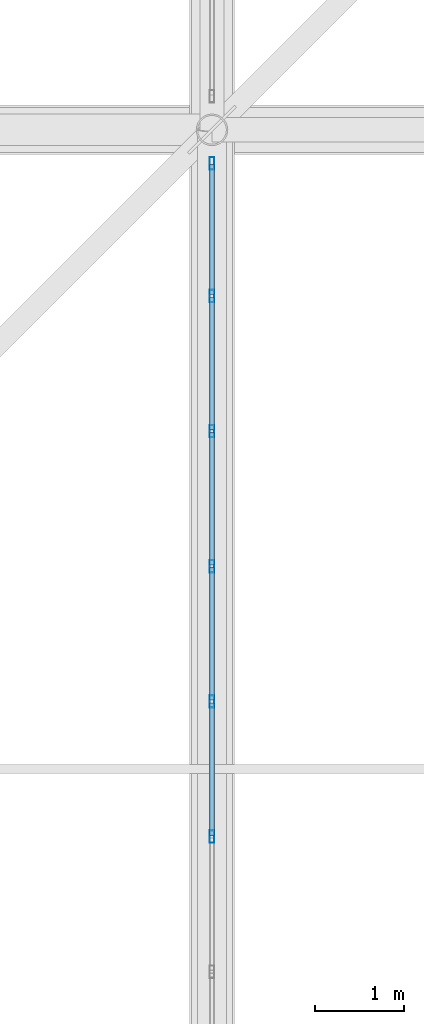
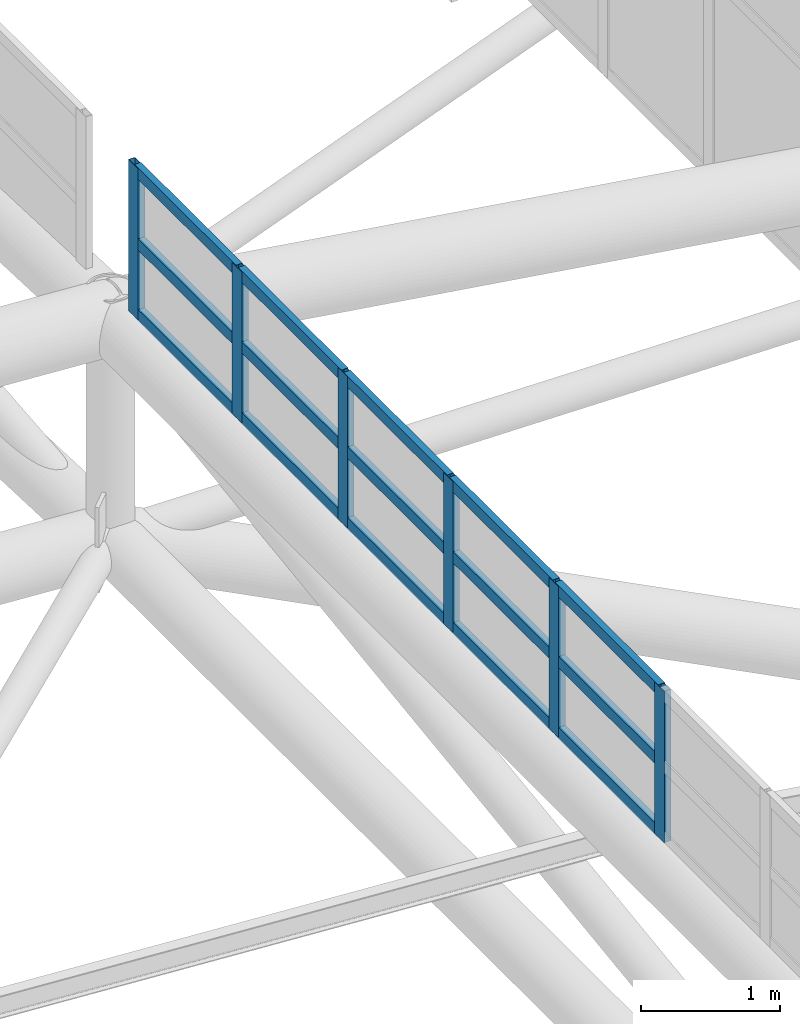
# One storey, part 269 of 397: 21 members, 1 element without a shape of its own.
"""IFC4 building model written with IfcOpenShell, lengths in metres."""

from ifc_helpers import new_model, si_unit, direction, frame, origin, origin_2d, place, context, subcontext, project, spatial, hollow_rectangle, extrude, material, material_profile, profile_set, type_object, element, aggregate, save


model = new_model("IFC4")

# Units and contexts
model_context = context("Model", 3, precision=1e-05, world=origin(), true_north=direction((0.0, 1.0)))
body_context = subcontext(model_context, "Body", "Model", "MODEL_VIEW")
ifc_project = project(units=[si_unit("LENGTHUNIT", "METRE"), si_unit("AREAUNIT", "SQUARE_METRE"), si_unit("VOLUMEUNIT", "CUBIC_METRE"), si_unit("PLANEANGLEUNIT", "RADIAN"), si_unit("MASSUNIT", "GRAM", prefix="KILO")], contexts=[model_context])

# Site, building, storey
site_placement = place(None, origin())
site = spatial("IfcSite", under=ifc_project, at=site_placement, CompositionType="ELEMENT")
building_placement = place(site_placement, origin())
building = spatial("IfcBuilding", under=site, at=building_placement, Name="Qandorah Velis Arena", CompositionType="ELEMENT")
storey_placement = place(building_placement, frame((0.0, 0.0, 27.5)))
storey = spatial("IfcBuildingStorey", under=building, at=storey_placement, Name="RF", CompositionType="ELEMENT", Elevation=27.5)

# Curtain wall, members
ifc_material_1 = material(Name="Solar-control low-E double glazing", Category="glass")
curtain_wall_type = type_object("IfcCurtainWallType", Name="ARC-CW-SYS13", PredefinedType="USERDEFINED", material=ifc_material_1)
curtain_wall_placement = place(storey_placement, origin())
curtain_wall = element("IfcCurtainWall", 1, at=curtain_wall_placement, inside=storey, type_object=curtain_wall_type, Name="Unitised curtain wall OCULUS-2-3", ObjectType="UNITISED CURTAIN WALL", PredefinedType="USERDEFINED")
ifc_material_2 = material(Name="Champagne-bronze anodized aluminium 6063-T6", Category="aluminium")
ifc_material_profile_1 = material_profile(ifc_material_2, hollow_rectangle(XDim=0.054931640625, YDim=0.139892578125, WallThickness=0.0029296875, at=origin_2d()), Name="ALU MULLION 55x140")
ifc_profile_set_1 = profile_set([ifc_material_profile_1], Name="Champagne-bronze anodized aluminium 6063-T6")
member_type_1 = type_object("IfcMemberType", Name="ARC-CWM-140", PredefinedType="MULLION", material=ifc_profile_set_1)
member_1_placement = place(storey_placement, frame((100.800048828125, 64.038818359375, 9.68408203125), z_axis=(0.0, 0.0, 1.0), x_axis=(-1.0, 0.0, 0.0)))
member_1 = element("IfcMember", 2, at=member_1_placement, type_object=member_type_1, Name="CW13 mullion 5", PredefinedType="MULLION", context=body_context, shape_type="SweptSolid", body=[
    extrude(hollow_rectangle(XDim=0.054931640625, YDim=0.139892578125, WallThickness=0.0029296875, at=origin_2d()), origin(), (0.0, 0.0, 1.0), 1.330810546875),
])
member_2_placement = place(storey_placement, frame((100.800048828125, 65.56103515625, 9.68408203125), z_axis=(0.0, 0.0, 1.0), x_axis=(-1.0, 0.0, 0.0)))
member_2 = element("IfcMember", 3, at=member_2_placement, type_object=member_type_1, Name="CW13 mullion 6", PredefinedType="MULLION", context=body_context, shape_type="SweptSolid", body=[
    extrude(hollow_rectangle(XDim=0.054931640625, YDim=0.139892578125, WallThickness=0.0029296875, at=origin_2d()), origin(), (0.0, 0.0, 1.0), 1.330810546875),
])
member_3_placement = place(storey_placement, frame((100.800048828125, 67.083251953125, 9.68408203125), z_axis=(0.0, 0.0, 1.0), x_axis=(-1.0, 0.0, 0.0)))
member_3 = element("IfcMember", 4, at=member_3_placement, type_object=member_type_1, Name="CW13 mullion 7", PredefinedType="MULLION", context=body_context, shape_type="SweptSolid", body=[
    extrude(hollow_rectangle(XDim=0.054931640625, YDim=0.139892578125, WallThickness=0.0029296875, at=origin_2d()), origin(), (0.0, 0.0, 1.0), 1.330810546875),
])
member_4_placement = place(storey_placement, frame((100.800048828125, 68.60546875, 9.68408203125), z_axis=(0.0, 0.0, 1.0), x_axis=(-1.0, 0.0, 0.0)))
member_4 = element("IfcMember", 5, at=member_4_placement, type_object=member_type_1, Name="CW13 mullion 8", PredefinedType="MULLION", context=body_context, shape_type="SweptSolid", body=[
    extrude(hollow_rectangle(XDim=0.054931640625, YDim=0.139892578125, WallThickness=0.0029296875, at=origin_2d()), origin(), (0.0, 0.0, 1.0), 1.330810546875),
])
member_5_placement = place(storey_placement, frame((100.800048828125, 70.127685546875, 9.68408203125), z_axis=(0.0, 0.0, 1.0), x_axis=(-1.0, 0.0, 0.0)))
member_5 = element("IfcMember", 6, at=member_5_placement, type_object=member_type_1, Name="CW13 mullion 9", PredefinedType="MULLION", context=body_context, shape_type="SweptSolid", body=[
    extrude(hollow_rectangle(XDim=0.054931640625, YDim=0.139892578125, WallThickness=0.0029296875, at=origin_2d()), origin(), (0.0, 0.0, 1.0), 1.330810546875),
])
member_6_placement = place(storey_placement, frame((100.800048828125, 71.62255859375, 9.68408203125), z_axis=(0.0, 0.0, 1.0), x_axis=(-1.0, 0.0, 0.0)))
member_6 = element("IfcMember", 7, at=member_6_placement, type_object=member_type_1, Name="CW13 mullion 10", PredefinedType="MULLION", context=body_context, shape_type="SweptSolid", body=[
    extrude(hollow_rectangle(XDim=0.054931640625, YDim=0.139892578125, WallThickness=0.0029296875, at=origin_2d()), origin(), (0.0, 0.0, 1.0), 1.330810546875),
])
ifc_material_profile_2 = material_profile(ifc_material_2, hollow_rectangle(XDim=0.054931640625, YDim=0.10009765625, WallThickness=0.0029296875, at=origin_2d()), Name="ALU TRANSOM 55x100")
ifc_profile_set_2 = profile_set([ifc_material_profile_2], Name="Champagne-bronze anodized aluminium 6063-T6")
member_type_2 = type_object("IfcMemberType", Name="ARC-CWT-100", PredefinedType="USERDEFINED", material=ifc_profile_set_2)
member_7_placement = place(storey_placement, frame((100.800048828125, 64.054443359375, 9.7265625), z_axis=(0.0, 1.0, 0.0), x_axis=(-1.0, 0.0, 0.0)))
member_7 = element("IfcMember", 8, at=member_7_placement, type_object=member_type_2, Name="CW13 transom 5.1", ObjectType="TRANSOM", PredefinedType="USERDEFINED", context=body_context, shape_type="SweptSolid", body=[
    extrude(hollow_rectangle(XDim=0.054931640625, YDim=0.10009765625, WallThickness=0.0029296875, at=origin_2d()), origin(), (0.0, 0.0, 1.0), 1.4912109375),
])
member_8_placement = place(storey_placement, frame((100.800048828125, 64.054443359375, 10.349609375), z_axis=(0.0, 1.0, 0.0), x_axis=(-1.0, 0.0, 0.0)))
member_8 = element("IfcMember", 9, at=member_8_placement, type_object=member_type_2, Name="CW13 transom 5.2", ObjectType="TRANSOM", PredefinedType="USERDEFINED", context=body_context, shape_type="SweptSolid", body=[
    extrude(hollow_rectangle(XDim=0.054931640625, YDim=0.10009765625, WallThickness=0.0029296875, at=origin_2d()), origin(), (0.0, 0.0, 1.0), 1.4912109375),
])
member_9_placement = place(storey_placement, frame((100.800048828125, 64.054443359375, 10.972412109375), z_axis=(0.0, 1.0, 0.0), x_axis=(-1.0, 0.0, 0.0)))
member_9 = element("IfcMember", 10, at=member_9_placement, type_object=member_type_2, Name="CW13 transom 5.3", ObjectType="TRANSOM", PredefinedType="USERDEFINED", context=body_context, shape_type="SweptSolid", body=[
    extrude(hollow_rectangle(XDim=0.054931640625, YDim=0.10009765625, WallThickness=0.0029296875, at=origin_2d()), origin(), (0.0, 0.0, 1.0), 1.4912109375),
])
member_10_placement = place(storey_placement, frame((100.800048828125, 65.57666015625, 9.7265625), z_axis=(0.0, 1.0, 0.0), x_axis=(-1.0, 0.0, 0.0)))
member_10 = element("IfcMember", 11, at=member_10_placement, type_object=member_type_2, Name="CW13 transom 6.1", ObjectType="TRANSOM", PredefinedType="USERDEFINED", context=body_context, shape_type="SweptSolid", body=[
    extrude(hollow_rectangle(XDim=0.054931640625, YDim=0.10009765625, WallThickness=0.0029296875, at=origin_2d()), origin(), (0.0, 0.0, 1.0), 1.4912109375),
])
member_11_placement = place(storey_placement, frame((100.800048828125, 65.57666015625, 10.349609375), z_axis=(0.0, 1.0, 0.0), x_axis=(-1.0, 0.0, 0.0)))
member_11 = element("IfcMember", 12, at=member_11_placement, type_object=member_type_2, Name="CW13 transom 6.2", ObjectType="TRANSOM", PredefinedType="USERDEFINED", context=body_context, shape_type="SweptSolid", body=[
    extrude(hollow_rectangle(XDim=0.054931640625, YDim=0.10009765625, WallThickness=0.0029296875, at=origin_2d()), origin(), (0.0, 0.0, 1.0), 1.4912109375),
])
member_12_placement = place(storey_placement, frame((100.800048828125, 65.57666015625, 10.972412109375), z_axis=(0.0, 1.0, 0.0), x_axis=(-1.0, 0.0, 0.0)))
member_12 = element("IfcMember", 13, at=member_12_placement, type_object=member_type_2, Name="CW13 transom 6.3", ObjectType="TRANSOM", PredefinedType="USERDEFINED", context=body_context, shape_type="SweptSolid", body=[
    extrude(hollow_rectangle(XDim=0.054931640625, YDim=0.10009765625, WallThickness=0.0029296875, at=origin_2d()), origin(), (0.0, 0.0, 1.0), 1.4912109375),
])
member_13_placement = place(storey_placement, frame((100.800048828125, 67.098876953125, 9.7265625), z_axis=(0.0, 1.0, 0.0), x_axis=(-1.0, 0.0, 0.0)))
member_13 = element("IfcMember", 14, at=member_13_placement, type_object=member_type_2, Name="CW13 transom 7.1", ObjectType="TRANSOM", PredefinedType="USERDEFINED", context=body_context, shape_type="SweptSolid", body=[
    extrude(hollow_rectangle(XDim=0.054931640625, YDim=0.10009765625, WallThickness=0.0029296875, at=origin_2d()), origin(), (0.0, 0.0, 1.0), 1.4912109375),
])
member_14_placement = place(storey_placement, frame((100.800048828125, 67.098876953125, 10.349609375), z_axis=(0.0, 1.0, 0.0), x_axis=(-1.0, 0.0, 0.0)))
member_14 = element("IfcMember", 15, at=member_14_placement, type_object=member_type_2, Name="CW13 transom 7.2", ObjectType="TRANSOM", PredefinedType="USERDEFINED", context=body_context, shape_type="SweptSolid", body=[
    extrude(hollow_rectangle(XDim=0.054931640625, YDim=0.10009765625, WallThickness=0.0029296875, at=origin_2d()), origin(), (0.0, 0.0, 1.0), 1.4912109375),
])
member_15_placement = place(storey_placement, frame((100.800048828125, 67.098876953125, 10.972412109375), z_axis=(0.0, 1.0, 0.0), x_axis=(-1.0, 0.0, 0.0)))
member_15 = element("IfcMember", 16, at=member_15_placement, type_object=member_type_2, Name="CW13 transom 7.3", ObjectType="TRANSOM", PredefinedType="USERDEFINED", context=body_context, shape_type="SweptSolid", body=[
    extrude(hollow_rectangle(XDim=0.054931640625, YDim=0.10009765625, WallThickness=0.0029296875, at=origin_2d()), origin(), (0.0, 0.0, 1.0), 1.4912109375),
])
member_16_placement = place(storey_placement, frame((100.800048828125, 68.62109375, 9.7265625), z_axis=(0.0, 1.0, 0.0), x_axis=(-1.0, 0.0, 0.0)))
member_16 = element("IfcMember", 17, at=member_16_placement, type_object=member_type_2, Name="CW13 transom 8.1", ObjectType="TRANSOM", PredefinedType="USERDEFINED", context=body_context, shape_type="SweptSolid", body=[
    extrude(hollow_rectangle(XDim=0.054931640625, YDim=0.10009765625, WallThickness=0.0029296875, at=origin_2d()), origin(), (0.0, 0.0, 1.0), 1.4912109375),
])
member_17_placement = place(storey_placement, frame((100.800048828125, 68.62109375, 10.349609375), z_axis=(0.0, 1.0, 0.0), x_axis=(-1.0, 0.0, 0.0)))
member_17 = element("IfcMember", 18, at=member_17_placement, type_object=member_type_2, Name="CW13 transom 8.2", ObjectType="TRANSOM", PredefinedType="USERDEFINED", context=body_context, shape_type="SweptSolid", body=[
    extrude(hollow_rectangle(XDim=0.054931640625, YDim=0.10009765625, WallThickness=0.0029296875, at=origin_2d()), origin(), (0.0, 0.0, 1.0), 1.4912109375),
])
member_18_placement = place(storey_placement, frame((100.800048828125, 68.62109375, 10.972412109375), z_axis=(0.0, 1.0, 0.0), x_axis=(-1.0, 0.0, 0.0)))
member_18 = element("IfcMember", 19, at=member_18_placement, type_object=member_type_2, Name="CW13 transom 8.3", ObjectType="TRANSOM", PredefinedType="USERDEFINED", context=body_context, shape_type="SweptSolid", body=[
    extrude(hollow_rectangle(XDim=0.054931640625, YDim=0.10009765625, WallThickness=0.0029296875, at=origin_2d()), origin(), (0.0, 0.0, 1.0), 1.4912109375),
])
member_19_placement = place(storey_placement, frame((100.800048828125, 70.143310546875, 9.7265625), z_axis=(0.0, 1.0, 0.0), x_axis=(-1.0, 0.0, 0.0)))
member_19 = element("IfcMember", 20, at=member_19_placement, type_object=member_type_2, Name="CW13 transom 9.1", ObjectType="TRANSOM", PredefinedType="USERDEFINED", context=body_context, shape_type="SweptSolid", body=[
    extrude(hollow_rectangle(XDim=0.054931640625, YDim=0.10009765625, WallThickness=0.0029296875, at=origin_2d()), origin(), (0.0, 0.0, 1.0), 1.463623046875),
])
member_20_placement = place(storey_placement, frame((100.800048828125, 70.143310546875, 10.349609375), z_axis=(0.0, 1.0, 0.0), x_axis=(-1.0, 0.0, 0.0)))
member_20 = element("IfcMember", 21, at=member_20_placement, type_object=member_type_2, Name="CW13 transom 9.2", ObjectType="TRANSOM", PredefinedType="USERDEFINED", context=body_context, shape_type="SweptSolid", body=[
    extrude(hollow_rectangle(XDim=0.054931640625, YDim=0.10009765625, WallThickness=0.0029296875, at=origin_2d()), origin(), (0.0, 0.0, 1.0), 1.463623046875),
])
member_21_placement = place(storey_placement, frame((100.800048828125, 70.143310546875, 10.972412109375), z_axis=(0.0, 1.0, 0.0), x_axis=(-1.0, 0.0, 0.0)))
member_21 = element("IfcMember", 22, at=member_21_placement, type_object=member_type_2, Name="CW13 transom 9.3", ObjectType="TRANSOM", PredefinedType="USERDEFINED", context=body_context, shape_type="SweptSolid", body=[
    extrude(hollow_rectangle(XDim=0.054931640625, YDim=0.10009765625, WallThickness=0.0029296875, at=origin_2d()), origin(), (0.0, 0.0, 1.0), 1.463623046875),
])
aggregate(curtain_wall, [member_1, member_2, member_3, member_4, member_5, member_6, member_7, member_8, member_9, member_10, member_11, member_12, member_13, member_14, member_15, member_16, member_17, member_18, member_19, member_20, member_21])

save(model, "model.ifc")
